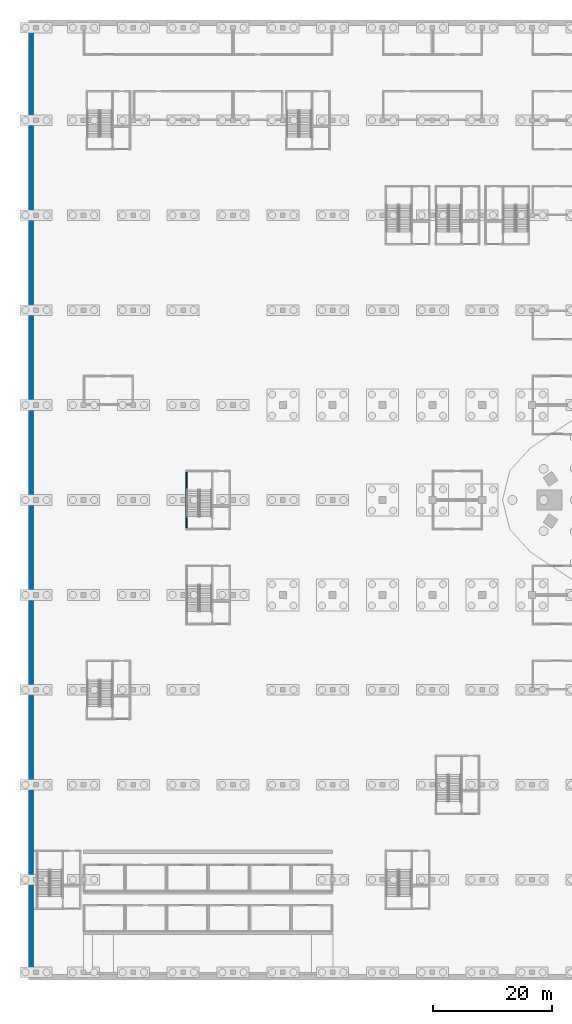
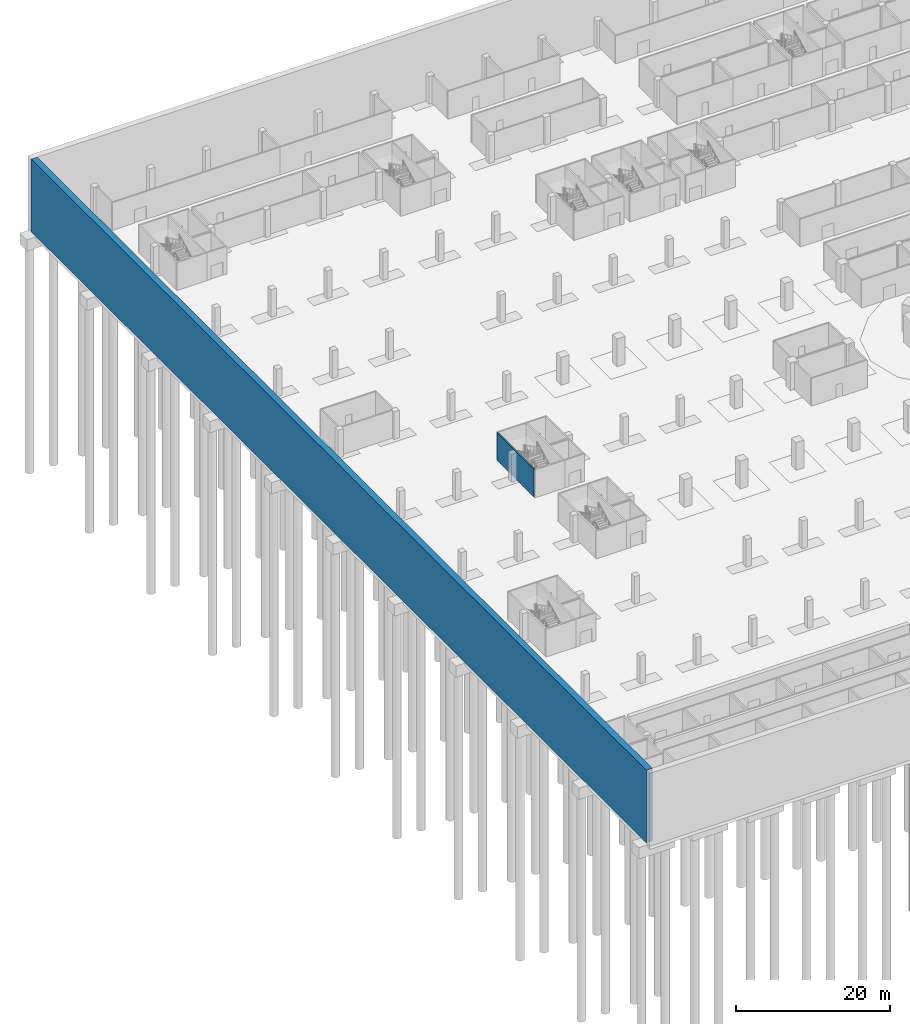
# One storey, part 11 of 46: 2 walls.
"""IFC4 building model written with IfcOpenShell, lengths in metres."""

from ifc_helpers import new_model, si_unit, direction, frame, frame_2d, origin, place, context, subcontext, project, spatial, rectangle, extrude, material, layer, layer_set, type_object, element, save


model = new_model("IFC4")

# Units and contexts
model_context = context("Model", 3, precision=1e-05, world=origin(), true_north=direction((0.0, 1.0)))
body_context = subcontext(model_context, "Body", "Model", "MODEL_VIEW")
ifc_project = project(units=[si_unit("LENGTHUNIT", "METRE"), si_unit("AREAUNIT", "SQUARE_METRE"), si_unit("VOLUMEUNIT", "CUBIC_METRE"), si_unit("PLANEANGLEUNIT", "RADIAN"), si_unit("MASSUNIT", "GRAM", prefix="KILO")], contexts=[model_context])

# Site, building, storey
site_placement = place(None, origin())
site = spatial("IfcSite", under=ifc_project, at=site_placement, CompositionType="ELEMENT")
building_placement = place(site_placement, origin())
building = spatial("IfcBuilding", under=site, at=building_placement, Name="Tamra Quay Hotel Tower", CompositionType="ELEMENT")
storey_placement = place(building_placement, frame((0.0, 0.0, -12.0)))
storey = spatial("IfcBuildingStorey", under=building, at=storey_placement, Name="B3", CompositionType="ELEMENT", Elevation=-12.0)

# Walls
ifc_material = material(Name="Concrete M70", Category="concrete")
ifc_layer_1 = layer(ifc_material, 0.199951171875)
ifc_layer_set_1 = layer_set([ifc_layer_1], Name="Concrete M70 stair enclosure wall 200")
wall_type_1 = type_object("IfcWallType", Name="Concrete M70 stair enclosure wall 200", PredefinedType="SOLIDWALL", material=ifc_layer_set_1)
wall_1_placement = place(storey_placement, frame((-96.949951171875, -4.800048828125, 0.0), z_axis=(0.0, 0.0, 1.0), x_axis=(0.0, 1.0, 0.0)))
element("IfcWall", 1, at=wall_1_placement, inside=storey, type_object=wall_type_1, Name="SEW", PredefinedType="SOLIDWALL", context=body_context, shape_type="SweptSolid", body=[
    extrude(rectangle(XDim=9.60009765625, YDim=0.199951171875, at=frame_2d((4.800048828125, 0.0))), origin(), (0.0, 0.0, 1.0), 4.39990234375),
])
ifc_layer_2 = layer(ifc_material, 0.89990234375)
ifc_layer_set_2 = layer_set([ifc_layer_2], Name="RETAINING WALL 900")
wall_type_2 = type_object("IfcWallType", Name="RETAINING WALL 900", PredefinedType="USERDEFINED", material=ifc_layer_set_2)
wall_2_placement = place(storey_placement, frame((-123.14990234375, -80.0, 0.0), z_axis=(0.0, 0.0, 1.0), x_axis=(0.0, 1.0, 0.0)))
element("IfcWall", 2, at=wall_2_placement, inside=storey, type_object=wall_type_2, Name="RW900", ObjectType="RETAINING", PredefinedType="USERDEFINED", context=body_context, shape_type="SweptSolid", body=[
    extrude(rectangle(XDim=160.0, YDim=0.89990234375, at=frame_2d((80.0, 0.0))), origin(), (0.0, 0.0, 1.0), 11.550048828125),
])

save(model, "model.ifc")
